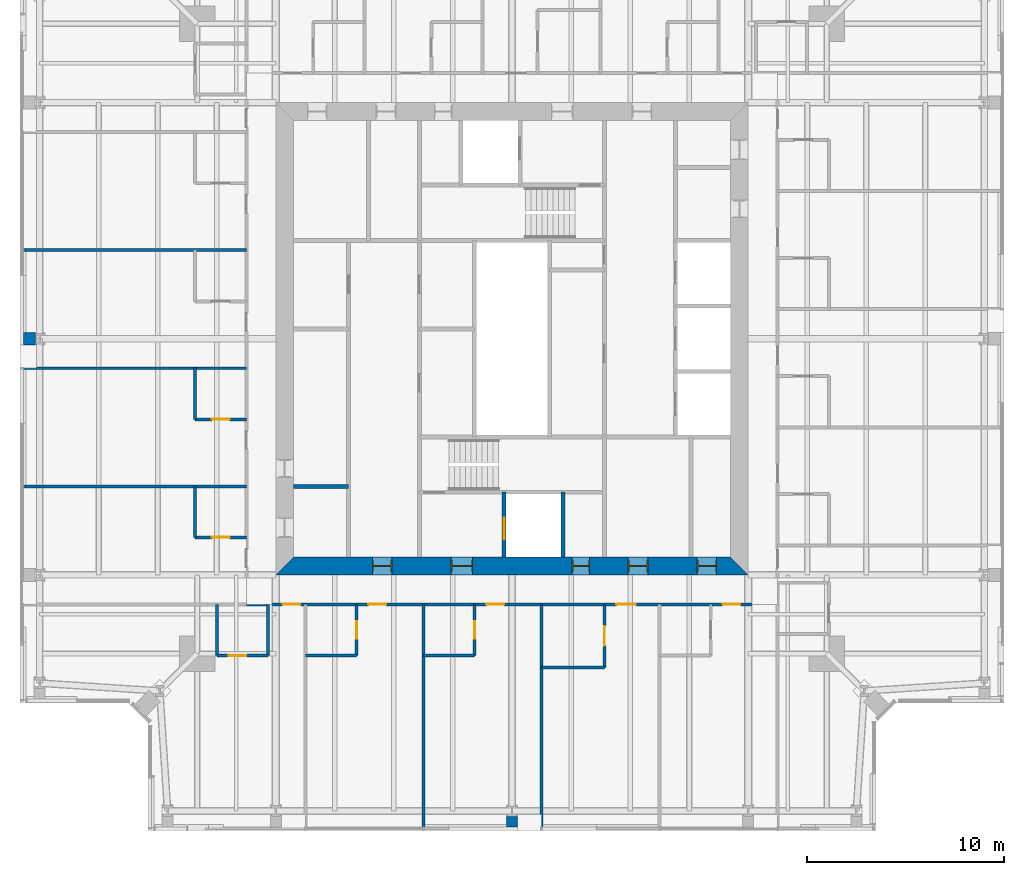
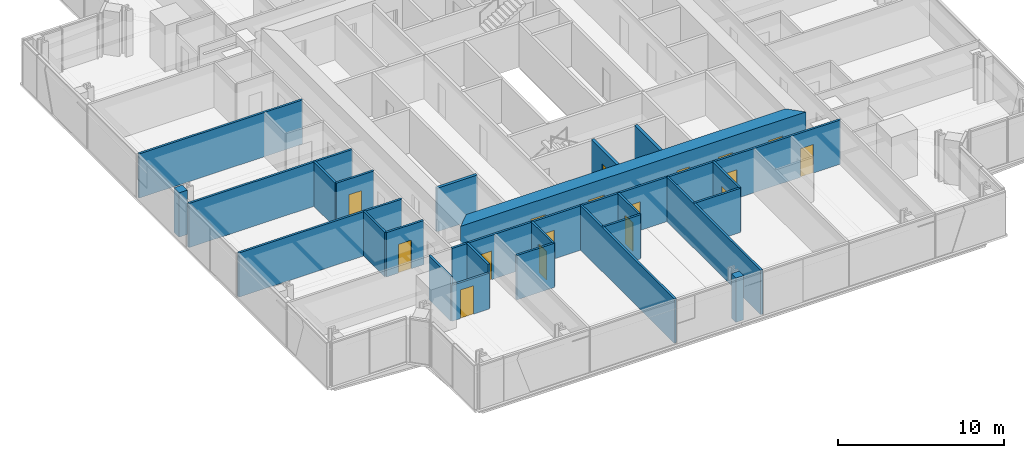
# One storey, part 11 of 20: 25 walls, 17 doors, 17 openings.
"""IFC4 building model written with IfcOpenShell, lengths in metres."""

from ifc_helpers import new_model, si_unit, direction, frame, frame_2d, origin, place, context, subcontext, project, spatial, polyline, rectangle, outline, extrude, material, layer, layer_set, type_object, element, fill, save


model = new_model("IFC4")

# Units and contexts
model_context = context("Model", 3, precision=1e-05, world=origin(), true_north=direction((0.0, 1.0)))
body_context = subcontext(model_context, "Body", "Model", "MODEL_VIEW")
ifc_project = project(units=[si_unit("LENGTHUNIT", "METRE"), si_unit("AREAUNIT", "SQUARE_METRE"), si_unit("VOLUMEUNIT", "CUBIC_METRE"), si_unit("PLANEANGLEUNIT", "RADIAN"), si_unit("MASSUNIT", "GRAM", prefix="KILO")], contexts=[model_context])

# Site, building, storey
site_placement = place(None, origin())
site = spatial("IfcSite", under=ifc_project, at=site_placement, CompositionType="ELEMENT")
building_placement = place(site_placement, origin())
building = spatial("IfcBuilding", under=site, at=building_placement, Name="Fenwick Lantern Interchange", CompositionType="ELEMENT")
storey_placement = place(building_placement, frame((0.0, 0.0, 252.60009765625)))
storey = spatial("IfcBuildingStorey", under=building, at=storey_placement, Name="L59", CompositionType="ELEMENT", Elevation=252.60009765625)

# Walls
ifc_material_1 = material(Name="Fire-rated gypsum board encasement on steel studs, 2 hour", Category="steel")
ifc_layer_1 = layer(ifc_material_1, 0.5419921875)
ifc_layer_set_1 = layer_set([ifc_layer_1], Name="COLUMN PIER 542")
wall_type_1 = type_object("IfcWallType", Name="COLUMN PIER 542", PredefinedType="PARTITIONING", material=ifc_layer_set_1)
wall_1_placement = place(storey_placement, frame((25.0, 0.18994140625, 0.0), z_axis=(0.0, 0.0, 1.0), x_axis=(0.0, 1.0, 0.0)))
element("IfcWall", 1, at=wall_1_placement, inside=storey, type_object=wall_type_1, Name="L59/W/PIER/CS3", PredefinedType="PARTITIONING", context=body_context, shape_type="SweptSolid", body=[
    extrude(rectangle(XDim=0.544677734375, YDim=0.5419921875, at=frame_2d((0.2724609375, 0.0))), origin(), (0.0, 0.0, 1.0), 3.25),
])
ifc_layer_2 = layer(ifc_material_1, 0.631103515625)
ifc_layer_set_2 = layer_set([ifc_layer_2], Name="COLUMN PIER 631")
wall_type_2 = type_object("IfcWallType", Name="COLUMN PIER 631", PredefinedType="PARTITIONING", material=ifc_layer_set_2)
wall_2_placement = place(storey_placement, frame((0.18994140625, 25.0, 0.0), z_axis=(0.0, 0.0, 1.0), x_axis=(1.0, 0.0, 0.0)))
element("IfcWall", 2, at=wall_2_placement, inside=storey, type_object=wall_type_2, Name="L59/W/PIER/CW3", PredefinedType="PARTITIONING", context=body_context, shape_type="SweptSolid", body=[
    extrude(rectangle(XDim=0.589111328125, YDim=0.631103515625, at=frame_2d((0.29443359375, 0.0))), origin(), (0.0, 0.0, 1.0), 3.25),
])

# Wall, opening, door
ifc_material_2 = material(Name="Concrete masonry ASTM C90 Grade N", Category="masonry")
ifc_layer_3 = layer(ifc_material_2, 0.199951171875)
ifc_layer_set_3 = layer_set([ifc_layer_3], Name="Concrete masonry ASTM C90 Grade N")
wall_type_3 = type_object("IfcWallType", Name="CORE PARTITION 200", PredefinedType="PARTITIONING", material=ifc_layer_set_3)
wall_3_placement = place(storey_placement, frame((24.60009765625, 13.89990234375, 0.0), z_axis=(0.0, 0.0, 1.0), x_axis=(0.0, 1.0, 0.0)))
wall_3 = element("IfcWall", 3, at=wall_3_placement, inside=storey, type_object=wall_type_3, Name="L59/W/CORES/h1", PredefinedType="PARTITIONING", context=body_context, shape_type="SweptSolid", body=[
    extrude(rectangle(XDim=3.300048828125, YDim=0.199951171875, at=frame_2d((1.64990234375, 0.0))), origin(), (0.0, 0.0, 1.0), 3.199951171875),
])
opening_1_placement = place(wall_3_placement, frame((0.89990234375, 0.0, 0.0)))
opening_1 = element("IfcOpeningElement", 4, at=opening_1_placement, cuts=wall_3, Name="Opening LD-FL1", PredefinedType="OPENING", context=body_context, shape_type="SweptSolid", body=[
    extrude(rectangle(XDim=1.10009765625, YDim=2.199951171875, at=frame_2d((0.550048828125, 1.10009765625))), frame((0.0, 0.10986328125, 0.0), z_axis=(0.0, -1.0, 0.0), x_axis=(1.0, 0.0, 0.0)), (0.0, 0.0, 1.0), 0.219970703125),
])
ifc_material_3 = material(Name="Steel door and frame", Category="steel")
door_type_1 = type_object("IfcDoorType", Name="LIFT LANDING DOOR 1100 X 2200", OperationType="DOUBLE_DOOR_SLIDING", PredefinedType="DOOR", material=ifc_material_3)
door_1_placement = place(opening_1_placement, origin())
door_1 = element("IfcDoor", 5, at=door_1_placement, inside=storey, type_object=door_type_1, Name="Lift landing door FL1", OperationType="DOUBLE_DOOR_SLIDING", OverallHeight=2.199951171875, OverallWidth=1.10009765625, PredefinedType="DOOR", context=body_context, shape_type="SweptSolid", body=[
    extrude(rectangle(XDim=1.10009765625, YDim=2.199951171875, at=frame_2d((0.550048828125, 1.10009765625))), frame((0.0, 0.02490234375, 0.0), z_axis=(0.0, -1.0, 0.0), x_axis=(1.0, 0.0, 0.0)), (0.0, 0.0, 1.0), 0.050048828125),
])
fill(opening_1, door_1)

# Walls
wall_4_placement = place(storey_placement, frame((27.60009765625, 13.89990234375, 0.0), z_axis=(0.0, 0.0, 1.0), x_axis=(0.0, 1.0, 0.0)))
element("IfcWall", 6, at=wall_4_placement, inside=storey, type_object=wall_type_3, Name="L59/W/CORES/h2", PredefinedType="PARTITIONING", context=body_context, shape_type="SweptSolid", body=[
    extrude(rectangle(XDim=3.300048828125, YDim=0.199951171875, at=frame_2d((1.64990234375, 0.0))), origin(), (0.0, 0.0, 1.0), 3.199951171875),
])
wall_5_placement = place(storey_placement, frame((13.89990234375, 17.5, 0.0), z_axis=(0.0, 0.0, 1.0), x_axis=(1.0, 0.0, 0.0)))
element("IfcWall", 7, at=wall_5_placement, inside=storey, type_object=wall_type_3, Name="L59/W/CORES/p1", PredefinedType="PARTITIONING", context=body_context, shape_type="SweptSolid", body=[
    extrude(rectangle(XDim=2.800048828125, YDim=0.199951171875, at=frame_2d((1.39990234375, 0.0))), origin(), (0.0, 0.0, 1.0), 3.199951171875),
])

# Wall, openings, doors
ifc_material_4 = material(Name="Concrete f'c 70 MPa", Category="concrete")
ifc_layer_4 = layer(ifc_material_4, 0.89990234375)
ifc_layer_set_4 = layer_set([ifc_layer_4], Name="CORE WALL 900")
wall_type_4 = type_object("IfcWallType", Name="CORE WALL 900", PredefinedType="SHEAR", material=ifc_layer_set_4)
wall_6_placement = place(storey_placement, frame((13.0, 13.449951171875, 0.0), z_axis=(0.0, 0.0, 1.0), x_axis=(1.0, 0.0, 0.0)))
wall_6 = element("IfcWall", 8, at=wall_6_placement, inside=storey, type_object=wall_type_4, Name="L59/CORE/S", PredefinedType="SHEAR", context=body_context, shape_type="SweptSolid", body=[
    extrude(outline(polyline([(0.0, -0.449951171875), (24.0, -0.449951171875), (23.10009765625, 0.449951171875), (0.89990234375, 0.449951171875), (0.0, -0.449951171875)])), origin(), (0.0, 0.0, 1.0), 3.39990234375),
])
opening_2_placement = place(wall_6_placement, frame((4.89990234375, 0.0, 0.0)))
opening_2 = element("IfcOpeningElement", 9, at=opening_2_placement, cuts=wall_6, Name="Opening L59-D001", PredefinedType="OPENING", context=body_context, shape_type="SweptSolid", body=[
    extrude(rectangle(XDim=1.0, YDim=2.199951171875, at=frame_2d((0.5, 1.10009765625))), frame((0.0, 0.4599609375, 0.0), z_axis=(0.0, -1.0, 0.0), x_axis=(1.0, 0.0, 0.0)), (0.0, 0.0, 1.0), 0.919921875),
])
opening_3_placement = place(wall_6_placement, frame((8.89990234375, 0.0, 0.0)))
opening_3 = element("IfcOpeningElement", 10, at=opening_3_placement, cuts=wall_6, Name="Opening L59-D002", PredefinedType="OPENING", context=body_context, shape_type="SweptSolid", body=[
    extrude(rectangle(XDim=1.10009765625, YDim=2.199951171875, at=frame_2d((0.550048828125, 1.10009765625))), frame((0.0, 0.4599609375, 0.0), z_axis=(0.0, -1.0, 0.0), x_axis=(1.0, 0.0, 0.0)), (0.0, 0.0, 1.0), 0.919921875),
])
opening_4_placement = place(wall_6_placement, frame((15.050048828125, 0.0, 0.0)))
opening_4 = element("IfcOpeningElement", 11, at=opening_4_placement, cuts=wall_6, Name="Opening L59-D004", PredefinedType="OPENING", context=body_context, shape_type="SweptSolid", body=[
    extrude(rectangle(XDim=0.89990234375, YDim=2.199951171875, at=frame_2d((0.449951171875, 1.10009765625))), frame((0.0, 0.4599609375, 0.0), z_axis=(0.0, -1.0, 0.0), x_axis=(1.0, 0.0, 0.0)), (0.0, 0.0, 1.0), 0.919921875),
])
opening_5_placement = place(wall_6_placement, frame((17.89990234375, 0.0, 0.0)))
opening_5 = element("IfcOpeningElement", 12, at=opening_5_placement, cuts=wall_6, Name="Opening L59-D005", PredefinedType="OPENING", context=body_context, shape_type="SweptSolid", body=[
    extrude(rectangle(XDim=1.0, YDim=2.199951171875, at=frame_2d((0.5, 1.10009765625))), frame((0.0, 0.4599609375, 0.0), z_axis=(0.0, -1.0, 0.0), x_axis=(1.0, 0.0, 0.0)), (0.0, 0.0, 1.0), 0.919921875),
])
opening_6_placement = place(wall_6_placement, frame((21.39990234375, 0.0, 0.0)))
opening_6 = element("IfcOpeningElement", 13, at=opening_6_placement, cuts=wall_6, Name="Opening L59-D006", PredefinedType="OPENING", context=body_context, shape_type="SweptSolid", body=[
    extrude(rectangle(XDim=1.0, YDim=2.199951171875, at=frame_2d((0.5, 1.10009765625))), frame((0.0, 0.4599609375, 0.0), z_axis=(0.0, -1.0, 0.0), x_axis=(1.0, 0.0, 0.0)), (0.0, 0.0, 1.0), 0.919921875),
])
door_type_2 = type_object("IfcDoorType", Name="CORE LOBBY DOOR 1000 X 2200", OperationType="SINGLE_SWING_LEFT", PredefinedType="DOOR", material=ifc_material_3)
door_2_placement = place(opening_2_placement, origin())
door_2 = element("IfcDoor", 14, at=door_2_placement, inside=storey, type_object=door_type_2, Name="Core lobby door", OperationType="SINGLE_SWING_LEFT", OverallHeight=2.199951171875, OverallWidth=1.0, PredefinedType="DOOR", context=body_context, shape_type="SweptSolid", body=[
    extrude(rectangle(XDim=1.0, YDim=2.199951171875, at=frame_2d((0.5, 1.10009765625))), frame((0.0, 0.02490234375, 0.0), z_axis=(0.0, -1.0, 0.0), x_axis=(1.0, 0.0, 0.0)), (0.0, 0.0, 1.0), 0.050048828125),
    extrude(outline(polyline([(0.0, 0.0), (0.0400390625, 0.0), (0.0400390625, 2.159912109375), (0.9599609375, 2.159912109375), (0.9599609375, 0.0), (1.0, 0.0), (1.0, 2.199951171875), (0.0, 2.199951171875), (0.0, 0.0)])), frame((0.0, 0.300048828125, 0.0), z_axis=(0.0, -1.0, 0.0), x_axis=(1.0, 0.0, 0.0)), (0.0, 0.0, 1.0), 0.60009765625),
])
fill(opening_2, door_2)
door_type_3 = type_object("IfcDoorType", Name="FIRE LOBBY DOOR 1100 X 2200", OperationType="SINGLE_SWING_LEFT", PredefinedType="DOOR", material=ifc_material_3)
door_3_placement = place(opening_3_placement, origin())
door_3 = element("IfcDoor", 15, at=door_3_placement, inside=storey, type_object=door_type_3, Name="Fire lobby door", OperationType="SINGLE_SWING_LEFT", OverallHeight=2.199951171875, OverallWidth=1.10009765625, PredefinedType="DOOR", context=body_context, shape_type="SweptSolid", body=[
    extrude(rectangle(XDim=1.10009765625, YDim=2.199951171875, at=frame_2d((0.550048828125, 1.10009765625))), frame((0.0, 0.02490234375, 0.0), z_axis=(0.0, -1.0, 0.0), x_axis=(1.0, 0.0, 0.0)), (0.0, 0.0, 1.0), 0.050048828125),
    extrude(outline(polyline([(0.0, 0.0), (0.0400390625, 0.0), (0.0400390625, 2.159912109375), (1.06005859375, 2.159912109375), (1.06005859375, 0.0), (1.10009765625, 0.0), (1.10009765625, 2.199951171875), (0.0, 2.199951171875), (0.0, 0.0)])), frame((0.0, 0.300048828125, 0.0), z_axis=(0.0, -1.0, 0.0), x_axis=(1.0, 0.0, 0.0)), (0.0, 0.0, 1.0), 0.60009765625),
])
fill(opening_3, door_3)
door_type_4 = type_object("IfcDoorType", Name="SERVICE DOOR 900 X 2200", OperationType="SINGLE_SWING_LEFT", PredefinedType="DOOR", material=ifc_material_3)
door_4_placement = place(opening_4_placement, origin())
door_4 = element("IfcDoor", 16, at=door_4_placement, inside=storey, type_object=door_type_4, Name="Service door", OperationType="SINGLE_SWING_LEFT", OverallHeight=2.199951171875, OverallWidth=0.89990234375, PredefinedType="DOOR", context=body_context, shape_type="SweptSolid", body=[
    extrude(rectangle(XDim=0.89990234375, YDim=2.199951171875, at=frame_2d((0.449951171875, 1.10009765625))), frame((0.0, 0.02490234375, 0.0), z_axis=(0.0, -1.0, 0.0), x_axis=(1.0, 0.0, 0.0)), (0.0, 0.0, 1.0), 0.050048828125),
    extrude(outline(polyline([(0.0, 0.0), (0.0400390625, 0.0), (0.0400390625, 2.159912109375), (0.85986328125, 2.159912109375), (0.85986328125, 0.0), (0.89990234375, 0.0), (0.89990234375, 2.199951171875), (0.0, 2.199951171875), (0.0, 0.0)])), frame((0.0, 0.300048828125, 0.0), z_axis=(0.0, -1.0, 0.0), x_axis=(1.0, 0.0, 0.0)), (0.0, 0.0, 1.0), 0.60009765625),
])
fill(opening_4, door_4)
ifc_material_5 = material(Name="Hardwood door and steel frame", Category="steel")
door_type_5 = type_object("IfcDoorType", Name="WC DOOR 1000 X 2200", OperationType="SINGLE_SWING_LEFT", PredefinedType="DOOR", material=ifc_material_5)
door_5_placement = place(opening_5_placement, origin())
door_5 = element("IfcDoor", 17, at=door_5_placement, inside=storey, type_object=door_type_5, Name="Wc door", OperationType="SINGLE_SWING_LEFT", OverallHeight=2.199951171875, OverallWidth=1.0, PredefinedType="DOOR", context=body_context, shape_type="SweptSolid", body=[
    extrude(rectangle(XDim=1.0, YDim=2.199951171875, at=frame_2d((0.5, 1.10009765625))), frame((0.0, 0.02490234375, 0.0), z_axis=(0.0, -1.0, 0.0), x_axis=(1.0, 0.0, 0.0)), (0.0, 0.0, 1.0), 0.050048828125),
    extrude(outline(polyline([(0.0, 0.0), (0.0400390625, 0.0), (0.0400390625, 2.159912109375), (0.9599609375, 2.159912109375), (0.9599609375, 0.0), (1.0, 0.0), (1.0, 2.199951171875), (0.0, 2.199951171875), (0.0, 0.0)])), frame((0.0, 0.300048828125, 0.0), z_axis=(0.0, -1.0, 0.0), x_axis=(1.0, 0.0, 0.0)), (0.0, 0.0, 1.0), 0.60009765625),
])
fill(opening_5, door_5)
door_6_placement = place(opening_6_placement, origin())
door_6 = element("IfcDoor", 18, at=door_6_placement, inside=storey, type_object=door_type_5, Name="Wc door", OperationType="SINGLE_SWING_LEFT", OverallHeight=2.199951171875, OverallWidth=1.0, PredefinedType="DOOR", context=body_context, shape_type="SweptSolid", body=[
    extrude(rectangle(XDim=1.0, YDim=2.199951171875, at=frame_2d((0.5, 1.10009765625))), frame((0.0, 0.02490234375, 0.0), z_axis=(0.0, -1.0, 0.0), x_axis=(1.0, 0.0, 0.0)), (0.0, 0.0, 1.0), 0.050048828125),
    extrude(outline(polyline([(0.0, 0.0), (0.0400390625, 0.0), (0.0400390625, 2.159912109375), (0.9599609375, 2.159912109375), (0.9599609375, 0.0), (1.0, 0.0), (1.0, 2.199951171875), (0.0, 2.199951171875), (0.0, 0.0)])), frame((0.0, 0.300048828125, 0.0), z_axis=(0.0, -1.0, 0.0), x_axis=(1.0, 0.0, 0.0)), (0.0, 0.0, 1.0), 0.60009765625),
])
fill(opening_6, door_6)

ifc_material_6 = material(Name="Gypsum board on steel studs, 1 hour", Category="steel")
ifc_layer_5 = layer(ifc_material_6, 0.14990234375)
ifc_layer_set_5 = layer_set([ifc_layer_5], Name="CORRIDOR WALL 150")
wall_type_5 = type_object("IfcWallType", Name="CORRIDOR WALL 150", PredefinedType="PARTITIONING", material=ifc_layer_set_5)
wall_7_placement = place(storey_placement, frame((11.5, 11.5, 0.0), z_axis=(0.0, 0.0, 1.0), x_axis=(1.0, 0.0, 0.0)))
wall_7 = element("IfcWall", 19, at=wall_7_placement, inside=storey, type_object=wall_type_5, Name="L59/W/HOTEL/S/CW", PredefinedType="PARTITIONING", context=body_context, shape_type="SweptSolid", body=[
    extrude(rectangle(XDim=27.0, YDim=0.14990234375, at=frame_2d((13.5, 0.0))), origin(), (0.0, 0.0, 1.0), 3.25),
])
opening_7_placement = place(wall_7_placement, frame((1.85009765625, 0.0, 0.0)))
opening_7 = element("IfcOpeningElement", 20, at=opening_7_placement, cuts=wall_7, Name="Opening L59-D022", PredefinedType="OPENING", context=body_context, shape_type="SweptSolid", body=[
    extrude(rectangle(XDim=0.89990234375, YDim=2.10009765625, at=frame_2d((0.449951171875, 1.050048828125))), frame((0.0, 0.0849609375, 0.0), z_axis=(0.0, -1.0, 0.0), x_axis=(1.0, 0.0, 0.0)), (0.0, 0.0, 1.0), 0.169921875),
])
opening_8_placement = place(wall_7_placement, frame((6.199951171875, 0.0, 0.0)))
opening_8 = element("IfcOpeningElement", 21, at=opening_8_placement, cuts=wall_7, Name="Opening L59-D025", PredefinedType="OPENING", context=body_context, shape_type="SweptSolid", body=[
    extrude(rectangle(XDim=0.89990234375, YDim=2.10009765625, at=frame_2d((0.449951171875, 1.050048828125))), frame((0.0, 0.0849609375, 0.0), z_axis=(0.0, -1.0, 0.0), x_axis=(1.0, 0.0, 0.0)), (0.0, 0.0, 1.0), 0.169921875),
])
opening_9_placement = place(wall_7_placement, frame((12.199951171875, 0.0, 0.0)))
opening_9 = element("IfcOpeningElement", 22, at=opening_9_placement, cuts=wall_7, Name="Opening L59-D027", PredefinedType="OPENING", context=body_context, shape_type="SweptSolid", body=[
    extrude(rectangle(XDim=0.89990234375, YDim=2.10009765625, at=frame_2d((0.449951171875, 1.050048828125))), frame((0.0, 0.0849609375, 0.0), z_axis=(0.0, -1.0, 0.0), x_axis=(1.0, 0.0, 0.0)), (0.0, 0.0, 1.0), 0.169921875),
])
opening_10_placement = place(wall_7_placement, frame((18.800048828125, 0.0, 0.0)))
opening_10 = element("IfcOpeningElement", 23, at=opening_10_placement, cuts=wall_7, Name="Opening L59-D029", PredefinedType="OPENING", context=body_context, shape_type="SweptSolid", body=[
    extrude(rectangle(XDim=1.0, YDim=2.10009765625, at=frame_2d((0.5, 1.050048828125))), frame((0.0, 0.0849609375, 0.0), z_axis=(0.0, -1.0, 0.0), x_axis=(1.0, 0.0, 0.0)), (0.0, 0.0, 1.0), 0.169921875),
])
opening_11_placement = place(wall_7_placement, frame((24.199951171875, 0.0, 0.0)))
opening_11 = element("IfcOpeningElement", 24, at=opening_11_placement, cuts=wall_7, Name="Opening L59-D031", PredefinedType="OPENING", context=body_context, shape_type="SweptSolid", body=[
    extrude(rectangle(XDim=0.89990234375, YDim=2.10009765625, at=frame_2d((0.449951171875, 1.050048828125))), frame((0.0, 0.0849609375, 0.0), z_axis=(0.0, -1.0, 0.0), x_axis=(1.0, 0.0, 0.0)), (0.0, 0.0, 1.0), 0.169921875),
])
door_type_6 = type_object("IfcDoorType", Name="GUEST ROOM DOOR 1000 X 2100", OperationType="SINGLE_SWING_LEFT", PredefinedType="DOOR", material=ifc_material_3)
door_7_placement = place(opening_10_placement, frame((1.0, 0.0, 0.0), z_axis=(0.0, 0.0, 1.0), x_axis=(-1.0, 0.0, 0.0)))
door_7 = element("IfcDoor", 25, at=door_7_placement, inside=storey, type_object=door_type_6, Name="Guest room door", OperationType="SINGLE_SWING_RIGHT", OverallHeight=2.10009765625, OverallWidth=1.0, PredefinedType="DOOR", context=body_context, shape_type="SweptSolid", body=[
    extrude(rectangle(XDim=1.0, YDim=2.10009765625, at=frame_2d((0.5, 1.050048828125))), frame((0.0, 0.02490234375, 0.0), z_axis=(0.0, -1.0, 0.0), x_axis=(1.0, 0.0, 0.0)), (0.0, 0.0, 1.0), 0.050048828125),
])
fill(opening_10, door_7)
door_type_7 = type_object("IfcDoorType", Name="GUEST ROOM DOOR 900 X 2100", OperationType="SINGLE_SWING_LEFT", PredefinedType="DOOR", material=ifc_material_3)
door_8_placement = place(opening_7_placement, frame((0.89990234375, 0.0, 0.0), z_axis=(0.0, 0.0, 1.0), x_axis=(-1.0, 0.0, 0.0)))
door_8 = element("IfcDoor", 26, at=door_8_placement, inside=storey, type_object=door_type_7, Name="Guest room door", OperationType="SINGLE_SWING_LEFT", OverallHeight=2.10009765625, OverallWidth=0.89990234375, PredefinedType="DOOR", context=body_context, shape_type="SweptSolid", body=[
    extrude(rectangle(XDim=0.89990234375, YDim=2.10009765625, at=frame_2d((0.449951171875, 1.050048828125))), frame((0.0, 0.02490234375, 0.0), z_axis=(0.0, -1.0, 0.0), x_axis=(1.0, 0.0, 0.0)), (0.0, 0.0, 1.0), 0.050048828125),
])
fill(opening_7, door_8)
door_9_placement = place(opening_8_placement, frame((0.89990234375, 0.0, 0.0), z_axis=(0.0, 0.0, 1.0), x_axis=(-1.0, 0.0, 0.0)))
door_9 = element("IfcDoor", 27, at=door_9_placement, inside=storey, type_object=door_type_7, Name="Guest room door", OperationType="SINGLE_SWING_RIGHT", OverallHeight=2.10009765625, OverallWidth=0.89990234375, PredefinedType="DOOR", context=body_context, shape_type="SweptSolid", body=[
    extrude(rectangle(XDim=0.89990234375, YDim=2.10009765625, at=frame_2d((0.449951171875, 1.050048828125))), frame((0.0, 0.02490234375, 0.0), z_axis=(0.0, -1.0, 0.0), x_axis=(1.0, 0.0, 0.0)), (0.0, 0.0, 1.0), 0.050048828125),
])
fill(opening_8, door_9)
door_10_placement = place(opening_9_placement, frame((0.89990234375, 0.0, 0.0), z_axis=(0.0, 0.0, 1.0), x_axis=(-1.0, 0.0, 0.0)))
door_10 = element("IfcDoor", 28, at=door_10_placement, inside=storey, type_object=door_type_7, Name="Guest room door", OperationType="SINGLE_SWING_RIGHT", OverallHeight=2.10009765625, OverallWidth=0.89990234375, PredefinedType="DOOR", context=body_context, shape_type="SweptSolid", body=[
    extrude(rectangle(XDim=0.89990234375, YDim=2.10009765625, at=frame_2d((0.449951171875, 1.050048828125))), frame((0.0, 0.02490234375, 0.0), z_axis=(0.0, -1.0, 0.0), x_axis=(1.0, 0.0, 0.0)), (0.0, 0.0, 1.0), 0.050048828125),
])
fill(opening_9, door_10)
door_11_placement = place(opening_11_placement, frame((0.89990234375, 0.0, 0.0), z_axis=(0.0, 0.0, 1.0), x_axis=(-1.0, 0.0, 0.0)))
door_11 = element("IfcDoor", 29, at=door_11_placement, inside=storey, type_object=door_type_7, Name="Guest room door", OperationType="SINGLE_SWING_RIGHT", OverallHeight=2.10009765625, OverallWidth=0.89990234375, PredefinedType="DOOR", context=body_context, shape_type="SweptSolid", body=[
    extrude(rectangle(XDim=0.89990234375, YDim=2.10009765625, at=frame_2d((0.449951171875, 1.050048828125))), frame((0.0, 0.02490234375, 0.0), z_axis=(0.0, -1.0, 0.0), x_axis=(1.0, 0.0, 0.0)), (0.0, 0.0, 1.0), 0.050048828125),
])
fill(opening_11, door_11)

# Wall, opening, door
ifc_material_7 = material(Name="Gypsum board on steel studs, moisture resistant", Category="steel")
ifc_layer_6 = layer(ifc_material_7, 0.14990234375)
ifc_layer_set_6 = layer_set([ifc_layer_6], Name="EN-SUITE WALL 150")
wall_type_6 = type_object("IfcWallType", Name="EN-SUITE WALL 150", PredefinedType="PARTITIONING", material=ifc_layer_set_6)
wall_8_placement = place(storey_placement, frame((10.0, 8.89990234375, 0.0), z_axis=(0.0, 0.0, 1.0), x_axis=(1.0, 0.0, 0.0)))
wall_8 = element("IfcWall", 30, at=wall_8_placement, inside=storey, type_object=wall_type_6, Name="L59/W/HOTEL/S/U1BW", PredefinedType="PARTITIONING", context=body_context, shape_type="SweptSolid", body=[
    extrude(rectangle(XDim=2.60009765625, YDim=0.14990234375, at=frame_2d((1.300048828125, 0.0))), origin(), (0.0, 0.0, 1.0), 2.6376953125),
])
opening_12_placement = place(wall_8_placement, frame((0.60009765625, 0.0, 0.0)))
opening_12 = element("IfcOpeningElement", 31, at=opening_12_placement, cuts=wall_8, Name="Opening L59-D023", PredefinedType="OPENING", context=body_context, shape_type="SweptSolid", body=[
    extrude(rectangle(XDim=0.89990234375, YDim=2.10009765625, at=frame_2d((0.449951171875, 1.050048828125))), frame((0.0, 0.0849609375, 0.0), z_axis=(0.0, -1.0, 0.0), x_axis=(1.0, 0.0, 0.0)), (0.0, 0.0, 1.0), 0.169921875),
])
door_type_8 = type_object("IfcDoorType", Name="EN-SUITE DOOR 900 X 2100", OperationType="SINGLE_SWING_LEFT", PredefinedType="DOOR", material=ifc_material_5)
door_12_placement = place(opening_12_placement, origin())
door_12 = element("IfcDoor", 32, at=door_12_placement, inside=storey, type_object=door_type_8, Name="En-suite door", OperationType="SINGLE_SWING_LEFT", OverallHeight=2.10009765625, OverallWidth=0.89990234375, PredefinedType="DOOR", context=body_context, shape_type="SweptSolid", body=[
    extrude(rectangle(XDim=0.89990234375, YDim=2.10009765625, at=frame_2d((0.449951171875, 1.050048828125))), frame((0.0, 0.02490234375, 0.0), z_axis=(0.0, -1.0, 0.0), x_axis=(1.0, 0.0, 0.0)), (0.0, 0.0, 1.0), 0.050048828125),
])
fill(opening_12, door_12)

# Walls
for number, where, z_axis, x_axis, name in (
    (33, (10.0, 8.89990234375, 0.0), (0.0, 0.0, 1.0), (0.0, 1.0, 0.0), "L59/W/HOTEL/S/U1BX"),
    (34, (12.60009765625, 8.89990234375, 0.0), (0.0, 0.0, 1.0), (0.0, 1.0, 0.0), "L59/W/HOTEL/S/U1BE"),
    (35, (14.5, 8.89990234375, 0.0), (0.0, 0.0, 1.0), (1.0, 0.0, 0.0), "L59/W/HOTEL/S/U2BW"),
):
    element("IfcWall", number, at=place(storey_placement, frame(where, z_axis=z_axis, x_axis=x_axis)), inside=storey, type_object=wall_type_6, Name=name, PredefinedType="PARTITIONING", context=body_context, shape_type="SweptSolid", body=[
        extrude(rectangle(XDim=2.60009765625, YDim=0.14990234375, at=frame_2d((1.300048828125, 0.0))), origin(), (0.0, 0.0, 1.0), 3.25),
    ])

# Wall, opening, door
wall_9_placement = place(storey_placement, frame((17.10009765625, 8.89990234375, 0.0), z_axis=(0.0, 0.0, 1.0), x_axis=(0.0, 1.0, 0.0)))
wall_9 = element("IfcWall", 36, at=wall_9_placement, inside=storey, type_object=wall_type_6, Name="L59/W/HOTEL/S/U2BX", PredefinedType="PARTITIONING", context=body_context, shape_type="SweptSolid", body=[
    extrude(rectangle(XDim=2.60009765625, YDim=0.14990234375, at=frame_2d((1.300048828125, 0.0))), origin(), (0.0, 0.0, 1.0), 3.25),
])
opening_13_placement = place(wall_9_placement, frame((0.85009765625, 0.0, 0.0)))
opening_13 = element("IfcOpeningElement", 37, at=opening_13_placement, cuts=wall_9, Name="Opening L59-D024", PredefinedType="OPENING", context=body_context, shape_type="SweptSolid", body=[
    extrude(rectangle(XDim=0.89990234375, YDim=2.10009765625, at=frame_2d((0.449951171875, 1.050048828125))), frame((0.0, 0.0849609375, 0.0), z_axis=(0.0, -1.0, 0.0), x_axis=(1.0, 0.0, 0.0)), (0.0, 0.0, 1.0), 0.169921875),
])
door_13_placement = place(opening_13_placement, origin())
door_13 = element("IfcDoor", 38, at=door_13_placement, inside=storey, type_object=door_type_8, Name="En-suite door", OperationType="SINGLE_SWING_LEFT", OverallHeight=2.10009765625, OverallWidth=0.89990234375, PredefinedType="DOOR", context=body_context, shape_type="SweptSolid", body=[
    extrude(rectangle(XDim=0.89990234375, YDim=2.10009765625, at=frame_2d((0.449951171875, 1.050048828125))), frame((0.0, 0.02490234375, 0.0), z_axis=(0.0, -1.0, 0.0), x_axis=(1.0, 0.0, 0.0)), (0.0, 0.0, 1.0), 0.050048828125),
])
fill(opening_13, door_13)

# Wall
wall_10_placement = place(storey_placement, frame((20.5, 8.89990234375, 0.0), z_axis=(0.0, 0.0, 1.0), x_axis=(1.0, 0.0, 0.0)))
element("IfcWall", 39, at=wall_10_placement, inside=storey, type_object=wall_type_6, Name="L59/W/HOTEL/S/U3BW", PredefinedType="PARTITIONING", context=body_context, shape_type="SweptSolid", body=[
    extrude(rectangle(XDim=2.60009765625, YDim=0.14990234375, at=frame_2d((1.300048828125, 0.0))), origin(), (0.0, 0.0, 1.0), 3.25),
])

# Wall, opening, door
wall_11_placement = place(storey_placement, frame((23.10009765625, 8.89990234375, 0.0), z_axis=(0.0, 0.0, 1.0), x_axis=(0.0, 1.0, 0.0)))
wall_11 = element("IfcWall", 40, at=wall_11_placement, inside=storey, type_object=wall_type_6, Name="L59/W/HOTEL/S/U3BX", PredefinedType="PARTITIONING", context=body_context, shape_type="SweptSolid", body=[
    extrude(rectangle(XDim=2.60009765625, YDim=0.14990234375, at=frame_2d((1.300048828125, 0.0))), origin(), (0.0, 0.0, 1.0), 3.25),
])
opening_14_placement = place(wall_11_placement, frame((0.85009765625, 0.0, 0.0)))
opening_14 = element("IfcOpeningElement", 41, at=opening_14_placement, cuts=wall_11, Name="Opening L59-D026", PredefinedType="OPENING", context=body_context, shape_type="SweptSolid", body=[
    extrude(rectangle(XDim=0.89990234375, YDim=2.10009765625, at=frame_2d((0.449951171875, 1.050048828125))), frame((0.0, 0.0849609375, 0.0), z_axis=(0.0, -1.0, 0.0), x_axis=(1.0, 0.0, 0.0)), (0.0, 0.0, 1.0), 0.169921875),
])
door_14_placement = place(opening_14_placement, origin())
door_14 = element("IfcDoor", 42, at=door_14_placement, inside=storey, type_object=door_type_8, Name="En-suite door", OperationType="SINGLE_SWING_LEFT", OverallHeight=2.10009765625, OverallWidth=0.89990234375, PredefinedType="DOOR", context=body_context, shape_type="SweptSolid", body=[
    extrude(rectangle(XDim=0.89990234375, YDim=2.10009765625, at=frame_2d((0.449951171875, 1.050048828125))), frame((0.0, 0.02490234375, 0.0), z_axis=(0.0, -1.0, 0.0), x_axis=(1.0, 0.0, 0.0)), (0.0, 0.0, 1.0), 0.050048828125),
])
fill(opening_14, door_14)

# Wall
wall_12_placement = place(storey_placement, frame((26.5, 8.300048828125, 0.0), z_axis=(0.0, 0.0, 1.0), x_axis=(1.0, 0.0, 0.0)))
element("IfcWall", 43, at=wall_12_placement, inside=storey, type_object=wall_type_6, Name="L59/W/HOTEL/S/U4BW", PredefinedType="PARTITIONING", context=body_context, shape_type="SweptSolid", body=[
    extrude(rectangle(XDim=3.199951171875, YDim=0.14990234375, at=frame_2d((1.60009765625, 0.0))), origin(), (0.0, 0.0, 1.0), 3.25),
])

# Wall, opening, door
wall_13_placement = place(storey_placement, frame((29.699951171875, 8.300048828125, 0.0), z_axis=(0.0, 0.0, 1.0), x_axis=(0.0, 1.0, 0.0)))
wall_13 = element("IfcWall", 44, at=wall_13_placement, inside=storey, type_object=wall_type_6, Name="L59/W/HOTEL/S/U4BX", PredefinedType="PARTITIONING", context=body_context, shape_type="SweptSolid", body=[
    extrude(rectangle(XDim=3.199951171875, YDim=0.14990234375, at=frame_2d((1.60009765625, 0.0))), origin(), (0.0, 0.0, 1.0), 3.25),
])
opening_15_placement = place(wall_13_placement, frame((1.10009765625, 0.0, 0.0)))
opening_15 = element("IfcOpeningElement", 45, at=opening_15_placement, cuts=wall_13, Name="Opening L59-D028", PredefinedType="OPENING", context=body_context, shape_type="SweptSolid", body=[
    extrude(rectangle(XDim=1.0, YDim=2.10009765625, at=frame_2d((0.5, 1.050048828125))), frame((0.0, 0.0849609375, 0.0), z_axis=(0.0, -1.0, 0.0), x_axis=(1.0, 0.0, 0.0)), (0.0, 0.0, 1.0), 0.169921875),
])
door_type_9 = type_object("IfcDoorType", Name="EN-SUITE DOOR 1000 X 2100", OperationType="SINGLE_SWING_LEFT", PredefinedType="DOOR", material=ifc_material_5)
door_15_placement = place(opening_15_placement, origin())
door_15 = element("IfcDoor", 46, at=door_15_placement, inside=storey, type_object=door_type_9, Name="En-suite door", OperationType="SINGLE_SWING_LEFT", OverallHeight=2.10009765625, OverallWidth=1.0, PredefinedType="DOOR", context=body_context, shape_type="SweptSolid", body=[
    extrude(rectangle(XDim=1.0, YDim=2.10009765625, at=frame_2d((0.5, 1.050048828125))), frame((0.0, 0.02490234375, 0.0), z_axis=(0.0, -1.0, 0.0), x_axis=(1.0, 0.0, 0.0)), (0.0, 0.0, 1.0), 0.050048828125),
])
fill(opening_15, door_15)

# Wall
wall_14_placement = place(storey_placement, frame((8.89990234375, 23.5, 0.0), z_axis=(0.0, 0.0, 1.0), x_axis=(0.0, -1.0, 0.0)))
element("IfcWall", 47, at=wall_14_placement, inside=storey, type_object=wall_type_6, Name="L59/W/HOTEL/W/U4BW", PredefinedType="PARTITIONING", context=body_context, shape_type="SweptSolid", body=[
    extrude(rectangle(XDim=2.60009765625, YDim=0.14990234375, at=frame_2d((1.300048828125, 0.0))), origin(), (0.0, 0.0, 1.0), 3.25),
])

# Wall, opening, door
wall_15_placement = place(storey_placement, frame((8.89990234375, 20.89990234375, 0.0), z_axis=(0.0, 0.0, 1.0), x_axis=(1.0, 0.0, 0.0)))
wall_15 = element("IfcWall", 48, at=wall_15_placement, inside=storey, type_object=wall_type_6, Name="L59/W/HOTEL/W/U4BX", PredefinedType="PARTITIONING", context=body_context, shape_type="SweptSolid", body=[
    extrude(rectangle(XDim=2.60009765625, YDim=0.14990234375, at=frame_2d((1.300048828125, 0.0))), origin(), (0.0, 0.0, 1.0), 3.25),
])
opening_16_placement = place(wall_15_placement, frame((0.85009765625, 0.0, 0.0)))
opening_16 = element("IfcOpeningElement", 49, at=opening_16_placement, cuts=wall_15, Name="Opening L59-D058", PredefinedType="OPENING", context=body_context, shape_type="SweptSolid", body=[
    extrude(rectangle(XDim=0.89990234375, YDim=2.10009765625, at=frame_2d((0.449951171875, 1.050048828125))), frame((0.0, 0.0849609375, 0.0), z_axis=(0.0, -1.0, 0.0), x_axis=(1.0, 0.0, 0.0)), (0.0, 0.0, 1.0), 0.169921875),
])
door_16_placement = place(opening_16_placement, origin())
door_16 = element("IfcDoor", 50, at=door_16_placement, inside=storey, type_object=door_type_8, Name="En-suite door", OperationType="SINGLE_SWING_LEFT", OverallHeight=2.10009765625, OverallWidth=0.89990234375, PredefinedType="DOOR", context=body_context, shape_type="SweptSolid", body=[
    extrude(rectangle(XDim=0.89990234375, YDim=2.10009765625, at=frame_2d((0.449951171875, 1.050048828125))), frame((0.0, 0.02490234375, 0.0), z_axis=(0.0, -1.0, 0.0), x_axis=(1.0, 0.0, 0.0)), (0.0, 0.0, 1.0), 0.050048828125),
])
fill(opening_16, door_16)

# Wall
wall_16_placement = place(storey_placement, frame((8.89990234375, 17.5, 0.0), z_axis=(0.0, 0.0, 1.0), x_axis=(0.0, -1.0, 0.0)))
element("IfcWall", 51, at=wall_16_placement, inside=storey, type_object=wall_type_6, Name="L59/W/HOTEL/W/U5BW", PredefinedType="PARTITIONING", context=body_context, shape_type="SweptSolid", body=[
    extrude(rectangle(XDim=2.60009765625, YDim=0.14990234375, at=frame_2d((1.300048828125, 0.0))), origin(), (0.0, 0.0, 1.0), 3.25),
])

# Wall, opening, door
wall_17_placement = place(storey_placement, frame((8.89990234375, 14.89990234375, 0.0), z_axis=(0.0, 0.0, 1.0), x_axis=(1.0, 0.0, 0.0)))
wall_17 = element("IfcWall", 52, at=wall_17_placement, inside=storey, type_object=wall_type_6, Name="L59/W/HOTEL/W/U5BX", PredefinedType="PARTITIONING", context=body_context, shape_type="SweptSolid", body=[
    extrude(rectangle(XDim=2.60009765625, YDim=0.14990234375, at=frame_2d((1.300048828125, 0.0))), origin(), (0.0, 0.0, 1.0), 3.25),
])
opening_17_placement = place(wall_17_placement, frame((0.85009765625, 0.0, 0.0)))
opening_17 = element("IfcOpeningElement", 53, at=opening_17_placement, cuts=wall_17, Name="Opening L59-D060", PredefinedType="OPENING", context=body_context, shape_type="SweptSolid", body=[
    extrude(rectangle(XDim=0.89990234375, YDim=2.10009765625, at=frame_2d((0.449951171875, 1.050048828125))), frame((0.0, 0.0849609375, 0.0), z_axis=(0.0, -1.0, 0.0), x_axis=(1.0, 0.0, 0.0)), (0.0, 0.0, 1.0), 0.169921875),
])
door_17_placement = place(opening_17_placement, origin())
door_17 = element("IfcDoor", 54, at=door_17_placement, inside=storey, type_object=door_type_8, Name="En-suite door", OperationType="SINGLE_SWING_LEFT", OverallHeight=2.10009765625, OverallWidth=0.89990234375, PredefinedType="DOOR", context=body_context, shape_type="SweptSolid", body=[
    extrude(rectangle(XDim=0.89990234375, YDim=2.10009765625, at=frame_2d((0.449951171875, 1.050048828125))), frame((0.0, 0.02490234375, 0.0), z_axis=(0.0, -1.0, 0.0), x_axis=(1.0, 0.0, 0.0)), (0.0, 0.0, 1.0), 0.050048828125),
])
fill(opening_17, door_17)

# Walls
ifc_material_8 = material(Name="Gypsum board on steel studs, 1 hour acoustic", Category="steel")
ifc_layer_7 = layer(ifc_material_8, 0.14990234375)
ifc_layer_set_7 = layer_set([ifc_layer_7], Name="PARTY WALL 150")
wall_type_7 = type_object("IfcWallType", Name="PARTY WALL 150", PredefinedType="PARTITIONING", material=ifc_layer_set_7)
for number, where, z_axis, x_axis, name in (
    (55, (20.5, 0.14990234375, 0.0), (0.0, 0.0, 1.0), (0.0, 1.0, 0.0), "L59/W/HOTEL/S/U3PW"),
    (56, (26.5, 0.14990234375, 0.0), (0.0, 0.0, 1.0), (0.0, 1.0, 0.0), "L59/W/HOTEL/S/U4PW"),
    (57, (0.14990234375, 29.5, 0.0), (0.0, 0.0, 1.0), (1.0, 0.0, 0.0), "L59/W/HOTEL/W/U3PW"),
    (58, (0.14990234375, 23.5, 0.0), (0.0, 0.0, 1.0), (1.0, 0.0, 0.0), "L59/W/HOTEL/W/U4PW"),
    (59, (0.14990234375, 17.5, 0.0), (0.0, 0.0, 1.0), (1.0, 0.0, 0.0), "L59/W/HOTEL/W/U5PW"),
):
    element("IfcWall", number, at=place(storey_placement, frame(where, z_axis=z_axis, x_axis=x_axis)), inside=storey, type_object=wall_type_7, Name=name, PredefinedType="PARTITIONING", context=body_context, shape_type="SweptSolid", body=[
        extrude(rectangle(XDim=11.35009765625, YDim=0.14990234375, at=frame_2d((5.675048828125, 0.0))), origin(), (0.0, 0.0, 1.0), 3.25),
    ])

save(model, "model.ifc")
